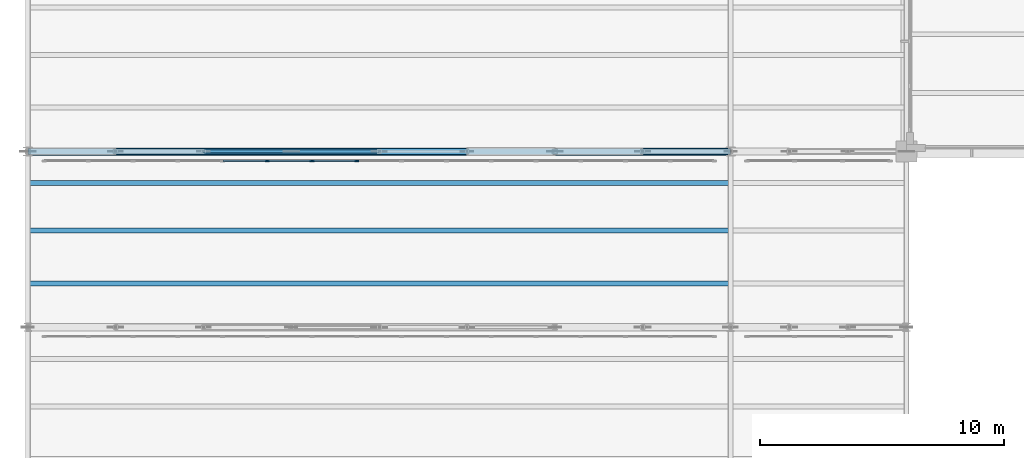
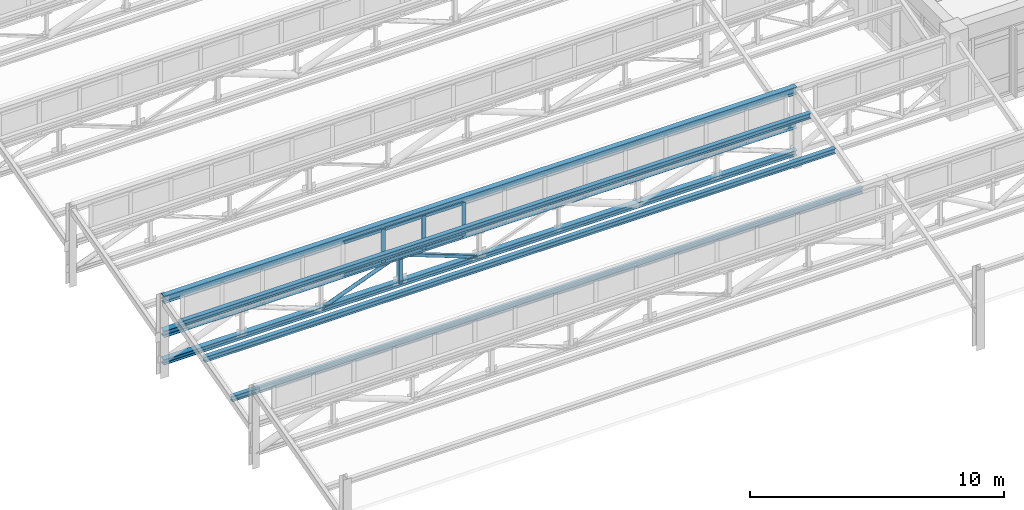
# One storey, part 10 of 98: 14 members, 4 beams, 1 element without a shape of its own.
"""IFC4 building model written with IfcOpenShell, lengths in metres."""

from ifc_helpers import new_model, si_unit, direction, frame, origin, origin_2d, place, context, subcontext, project, spatial, rectangle, hollow_rectangle, hollow_circle, i_section, extrude, material, layer, layer_set, material_profile, profile_set, type_object, element, aggregate, save


model = new_model("IFC4")

# Units and contexts
model_context = context("Model", 3, precision=1e-05, world=origin(), true_north=direction((0.0, 1.0)))
body_context = subcontext(model_context, "Body", "Model", "MODEL_VIEW")
ifc_project = project(units=[si_unit("LENGTHUNIT", "METRE"), si_unit("AREAUNIT", "SQUARE_METRE"), si_unit("VOLUMEUNIT", "CUBIC_METRE"), si_unit("PLANEANGLEUNIT", "RADIAN"), si_unit("MASSUNIT", "GRAM", prefix="KILO")], contexts=[model_context])

# Site, building, storey
site_placement = place(None, origin())
site = spatial("IfcSite", under=ifc_project, at=site_placement, CompositionType="ELEMENT")
building_placement = place(site_placement, origin())
building = spatial("IfcBuilding", under=site, at=building_placement, Name="Solenvale Faculty of Natural Sciences", CompositionType="ELEMENT")
storey_placement = place(building_placement, frame((0.0, 0.0, 9.0)))
storey = spatial("IfcBuildingStorey", under=building, at=storey_placement, Name="L02", CompositionType="ELEMENT", Elevation=9.0)

# Beams
ifc_material_1 = material(Name="Steel S355", Category="steel")
ifc_material_profile_1 = material_profile(ifc_material_1, i_section(OverallWidth=0.202880859375, OverallDepth=0.251953125, WebThickness=0.008056640625, FlangeThickness=0.013427734375, FilletRadius=0.012939453125, at=origin_2d()), Name="W250x58")
ifc_profile_set_1 = profile_set([ifc_material_profile_1], Name="Steel S355")
beam_type_1 = type_object("IfcBeamType", Name="BM-PRL-W250x58", PredefinedType="JOIST", material=ifc_profile_set_1)
for number, where, z_axis, x_axis, name in (
    (1, (0.0, 9.0, 2.17919921875), (1.0, 0.0, 0.0), (0.0, 1.0, 0.0), "V1 Sawtooth Purlin 2.1.1"),
    (2, (0.0, 11.159912109375, 2.75830078125), (1.0, 0.0, 0.0), (0.0, 1.0, 0.0), "V1 Sawtooth Purlin 2.1.2"),
    (3, (0.0, 13.10400390625, 3.279296875), (1.0, 0.0, 0.0), (0.0, 1.0, 0.0), "V1 Sawtooth Purlin 2.1.3"),
):
    element("IfcBeam", number, at=place(storey_placement, frame(where, z_axis=z_axis, x_axis=x_axis)), inside=storey, type_object=beam_type_1, Name=name, PredefinedType="JOIST", context=body_context, shape_type="SweptSolid", body=[
        extrude(i_section(OverallWidth=0.202880859375, OverallDepth=0.251953125, WebThickness=0.008056640625, FlangeThickness=0.013427734375, FilletRadius=0.012939453125, at=origin_2d()), origin(), (0.0, 0.0, 1.0), 28.7041015625),
    ])
ifc_material_profile_2 = material_profile(ifc_material_1, i_section(OverallWidth=0.2548828125, OverallDepth=0.35693359375, WebThickness=0.010498046875, FlangeThickness=0.018310546875, FilletRadius=0.014892578125, at=origin_2d()), Name="W360x101")
ifc_profile_set_2 = profile_set([ifc_material_profile_2], Name="Steel S355")
beam_type_2 = type_object("IfcBeamType", Name="BM-STL-W360x101", PredefinedType="JOIST", material=ifc_profile_set_2)
beam_placement = place(storey_placement, frame((0.0, 14.39990234375, 3.68896484375), z_axis=(1.0, 0.0, 0.0), x_axis=(0.0, 1.0, 0.0)))
element("IfcBeam", 4, at=beam_placement, inside=storey, type_object=beam_type_2, Name="V1 Sawtooth Clerestory Ridge Beam 2.1", PredefinedType="JOIST", context=body_context, shape_type="SweptSolid", body=[
    extrude(i_section(OverallWidth=0.2548828125, OverallDepth=0.35693359375, WebThickness=0.010498046875, FlangeThickness=0.018310546875, FilletRadius=0.014892578125, at=origin_2d()), origin(), (0.0, 0.0, 1.0), 28.800048828125),
])

# Curtain wall, members
ifc_material_2 = material(Name="Anodised bronze aluminium", Category="aluminium")
ifc_layer = layer(ifc_material_2, 0.1650390625)
ifc_layer_set = layer_set([ifc_layer], Name="Anodised bronze aluminium")
curtain_wall_type = type_object("IfcCurtainWallType", Name="CW-SAW-CLR", PredefinedType="USERDEFINED", material=ifc_layer_set)
curtain_wall_placement = place(storey_placement, origin())
curtain_wall = element("IfcCurtainWall", 5, at=curtain_wall_placement, inside=storey, type_object=curtain_wall_type, Name="L02 Curtain Wall SAW-V1-CW-2-1", ObjectType="NORTH LIGHT CLERESTORY", PredefinedType="USERDEFINED")
ifc_material_profile_3 = material_profile(ifc_material_2, rectangle(XDim=0.06494140625, YDim=0.175048828125, at=origin_2d()), Name="ALU-MUL-65x175")
ifc_profile_set_3 = profile_set([ifc_material_profile_3], Name="Anodised bronze aluminium")
member_type_1 = type_object("IfcMemberType", Name="CWM-ALU-65x175", PredefinedType="MULLION", material=ifc_profile_set_3)
member_1_placement = place(storey_placement, frame((13.482666015625, 14.02001953125, 2.22998046875), z_axis=(0.0, 0.0, 1.0), x_axis=(0.0, -1.0, 0.0)))
member_1 = element("IfcMember", 6, at=member_1_placement, type_object=member_type_1, Name="CW-05 mullion 9", PredefinedType="MULLION", context=body_context, shape_type="SweptSolid", body=[
    extrude(rectangle(XDim=0.06494140625, YDim=0.175048828125, at=origin_2d()), origin(), (0.0, 0.0, 1.0), 1.610107421875),
])
member_2_placement = place(storey_placement, frame((11.64794921875, 14.02001953125, 2.22998046875), z_axis=(0.0, 0.0, 1.0), x_axis=(0.0, -1.0, 0.0)))
member_2 = element("IfcMember", 7, at=member_2_placement, type_object=member_type_1, Name="CW-05 mullion 10", PredefinedType="MULLION", context=body_context, shape_type="SweptSolid", body=[
    extrude(rectangle(XDim=0.06494140625, YDim=0.175048828125, at=origin_2d()), origin(), (0.0, 0.0, 1.0), 1.610107421875),
])
member_3_placement = place(storey_placement, frame((9.813232421875, 14.02001953125, 2.22998046875), z_axis=(0.0, 0.0, 1.0), x_axis=(0.0, -1.0, 0.0)))
member_3 = element("IfcMember", 8, at=member_3_placement, type_object=member_type_1, Name="CW-05 mullion 11", PredefinedType="MULLION", context=body_context, shape_type="SweptSolid", body=[
    extrude(rectangle(XDim=0.06494140625, YDim=0.175048828125, at=origin_2d()), origin(), (0.0, 0.0, 1.0), 1.610107421875),
])
ifc_material_profile_4 = material_profile(ifc_material_2, rectangle(XDim=0.06494140625, YDim=0.135009765625, at=origin_2d()), Name="ALU-TRN-65x135")
ifc_profile_set_4 = profile_set([ifc_material_profile_4], Name="Anodised bronze aluminium")
member_type_2 = type_object("IfcMemberType", Name="CWT-ALU-65x135", PredefinedType="USERDEFINED", material=ifc_profile_set_4)
member_4_placement = place(storey_placement, frame((13.4501953125, 14.02001953125, 2.262451171875), z_axis=(-1.0, 0.0, 0.0), x_axis=(0.0, -1.0, 0.0)))
member_4 = element("IfcMember", 9, at=member_4_placement, type_object=member_type_2, Name="CW-05 transom 9.1", ObjectType="TRANSOM", PredefinedType="USERDEFINED", context=body_context, shape_type="SweptSolid", body=[
    extrude(rectangle(XDim=0.06494140625, YDim=0.135009765625, at=origin_2d()), origin(), (0.0, 0.0, 1.0), 1.769775390625),
])
member_5_placement = place(storey_placement, frame((13.4501953125, 14.02001953125, 3.8076171875), z_axis=(-1.0, 0.0, 0.0), x_axis=(0.0, -1.0, 0.0)))
member_5 = element("IfcMember", 10, at=member_5_placement, type_object=member_type_2, Name="CW-05 transom 9.2", ObjectType="TRANSOM", PredefinedType="USERDEFINED", context=body_context, shape_type="SweptSolid", body=[
    extrude(rectangle(XDim=0.06494140625, YDim=0.135009765625, at=origin_2d()), origin(), (0.0, 0.0, 1.0), 1.769775390625),
])
member_6_placement = place(storey_placement, frame((11.615478515625, 14.02001953125, 2.262451171875), z_axis=(-1.0, 0.0, 0.0), x_axis=(0.0, -1.0, 0.0)))
member_6 = element("IfcMember", 11, at=member_6_placement, type_object=member_type_2, Name="CW-05 transom 10.1", ObjectType="TRANSOM", PredefinedType="USERDEFINED", context=body_context, shape_type="SweptSolid", body=[
    extrude(rectangle(XDim=0.06494140625, YDim=0.135009765625, at=origin_2d()), origin(), (0.0, 0.0, 1.0), 1.76953125),
])
member_7_placement = place(storey_placement, frame((11.615478515625, 14.02001953125, 3.8076171875), z_axis=(-1.0, 0.0, 0.0), x_axis=(0.0, -1.0, 0.0)))
member_7 = element("IfcMember", 12, at=member_7_placement, type_object=member_type_2, Name="CW-05 transom 10.2", ObjectType="TRANSOM", PredefinedType="USERDEFINED", context=body_context, shape_type="SweptSolid", body=[
    extrude(rectangle(XDim=0.06494140625, YDim=0.135009765625, at=origin_2d()), origin(), (0.0, 0.0, 1.0), 1.76953125),
])
member_8_placement = place(storey_placement, frame((9.78076171875, 14.02001953125, 2.262451171875), z_axis=(-1.0, 0.0, 0.0), x_axis=(0.0, -1.0, 0.0)))
member_8 = element("IfcMember", 13, at=member_8_placement, type_object=member_type_2, Name="CW-05 transom 11.1", ObjectType="TRANSOM", PredefinedType="USERDEFINED", context=body_context, shape_type="SweptSolid", body=[
    extrude(rectangle(XDim=0.06494140625, YDim=0.135009765625, at=origin_2d()), origin(), (0.0, 0.0, 1.0), 1.76953125),
])
member_9_placement = place(storey_placement, frame((9.78076171875, 14.02001953125, 3.8076171875), z_axis=(-1.0, 0.0, 0.0), x_axis=(0.0, -1.0, 0.0)))
member_9 = element("IfcMember", 14, at=member_9_placement, type_object=member_type_2, Name="CW-05 transom 11.2", ObjectType="TRANSOM", PredefinedType="USERDEFINED", context=body_context, shape_type="SweptSolid", body=[
    extrude(rectangle(XDim=0.06494140625, YDim=0.135009765625, at=origin_2d()), origin(), (0.0, 0.0, 1.0), 1.76953125),
])
aggregate(curtain_wall, [member_1, member_2, member_3, member_4, member_5, member_6, member_7, member_8, member_9])

# Members
ifc_material_profile_5 = material_profile(ifc_material_1, hollow_circle(Radius=0.084228515625, WallThickness=0.008056640625, at=origin_2d()), Name="HSS168x8.0")
ifc_profile_set_5 = profile_set([ifc_material_profile_5], Name="Steel S355")
member_type_3 = type_object("IfcMemberType", Name="MB-BRC-CHS168", PredefinedType="BRACE", material=ifc_profile_set_5)
member_10_placement = place(storey_placement, frame((7.199951171875, 14.39990234375, 0.68994140625), z_axis=(0.935466034784, 0.0, 0.353416606522), x_axis=(0.0, 1.0, 0.0)))
element("IfcMember", 15, at=member_10_placement, inside=storey, type_object=member_type_3, Name="V1 Truss 2.1 Diagonal 3", PredefinedType="BRACE", context=body_context, shape_type="SweptSolid", body=[
    extrude(hollow_circle(Radius=0.084228515625, WallThickness=0.008056640625, at=origin_2d()), origin(), (0.0, 0.0, 1.0), 3.848388671875),
])
ifc_material_profile_6 = material_profile(ifc_material_1, hollow_rectangle(XDim=0.152099609375, YDim=0.152099609375, WallThickness=0.009521484375, InnerFilletRadius=0.009521484375, OuterFilletRadius=0.01904296875, at=origin_2d()), Name="HSS152x152x9.5")
ifc_profile_set_6 = profile_set([ifc_material_profile_6], Name="Steel S355")
member_type_4 = type_object("IfcMemberType", Name="MB-BRC-HSS152", PredefinedType="BRACE", material=ifc_profile_set_6)
member_11_placement = place(storey_placement, frame((10.800048828125, 14.39990234375, 2.050048828125), z_axis=(0.935458110384, 0.0, -0.353437581075), x_axis=(0.0, 1.0, 0.0)))
element("IfcMember", 16, at=member_11_placement, inside=storey, type_object=member_type_4, Name="V1 Truss 2.1 Diagonal 4", PredefinedType="BRACE", context=body_context, shape_type="SweptSolid", body=[
    extrude(hollow_rectangle(XDim=0.152099609375, YDim=0.152099609375, WallThickness=0.009521484375, InnerFilletRadius=0.009521484375, OuterFilletRadius=0.01904296875, at=origin_2d()), origin(), (0.0, 0.0, 1.0), 3.84814453125),
])
ifc_material_profile_7 = material_profile(ifc_material_1, i_section(OverallWidth=0.256103515625, OverallDepth=0.260009765625, WebThickness=0.0107421875, FlangeThickness=0.017333984375, FilletRadius=0.012939453125, at=origin_2d()), Name="W250x89")
ifc_profile_set_7 = profile_set([ifc_material_profile_7], Name="Steel S355")
member_type_5 = type_object("IfcMemberType", Name="MB-CHD-W250x89", PredefinedType="CHORD", material=ifc_profile_set_7)
member_12_placement = place(storey_placement, frame((0.0, 14.39990234375, 0.68994140625), z_axis=(1.0, 0.0, 0.0), x_axis=(0.0, 1.0, 0.0)))
element("IfcMember", 17, at=member_12_placement, inside=storey, type_object=member_type_5, Name="V1 Truss 2.1 Bottom Chord", PredefinedType="CHORD", context=body_context, shape_type="SweptSolid", body=[
    extrude(i_section(OverallWidth=0.256103515625, OverallDepth=0.260009765625, WebThickness=0.0107421875, FlangeThickness=0.017333984375, FilletRadius=0.012939453125, at=origin_2d()), origin(), (0.0, 0.0, 1.0), 28.800048828125),
])
ifc_material_profile_8 = material_profile(ifc_material_1, i_section(OverallWidth=0.304931640625, OverallDepth=0.30810546875, WebThickness=0.010009765625, FlangeThickness=0.015380859375, FilletRadius=0.014892578125, at=origin_2d()), Name="W310x97")
ifc_profile_set_8 = profile_set([ifc_material_profile_8], Name="Steel S355")
member_type_6 = type_object("IfcMemberType", Name="MB-CHD-W310x97", PredefinedType="CHORD", material=ifc_profile_set_8)
member_13_placement = place(storey_placement, frame((0.0, 14.39990234375, 2.050048828125), z_axis=(1.0, 0.0, 0.0), x_axis=(0.0, 1.0, 0.0)))
element("IfcMember", 18, at=member_13_placement, inside=storey, type_object=member_type_6, Name="V1 Truss 2.1 Top Chord", PredefinedType="CHORD", context=body_context, shape_type="SweptSolid", body=[
    extrude(i_section(OverallWidth=0.304931640625, OverallDepth=0.30810546875, WebThickness=0.010009765625, FlangeThickness=0.015380859375, FilletRadius=0.014892578125, at=origin_2d()), origin(), (0.0, 0.0, 1.0), 28.800048828125),
])
ifc_material_profile_9 = material_profile(ifc_material_1, hollow_rectangle(XDim=0.202880859375, YDim=0.202880859375, WallThickness=0.0126953125, InnerFilletRadius=0.0126953125, OuterFilletRadius=0.025390625, at=origin_2d()), Name="HSS203x203x13")
ifc_profile_set_9 = profile_set([ifc_material_profile_9], Name="Steel S355")
member_type_7 = type_object("IfcMemberType", Name="MB-STR-HSS203", PredefinedType="STRUT", material=ifc_profile_set_9)
member_14_placement = place(storey_placement, frame((10.800048828125, 14.39990234375, 0.68994140625), z_axis=(0.0, 0.0, 1.0), x_axis=(1.0, 0.0, 0.0)))
element("IfcMember", 19, at=member_14_placement, inside=storey, type_object=member_type_7, Name="V1 Truss 2.1 Strut 3", PredefinedType="STRUT", context=body_context, shape_type="SweptSolid", body=[
    extrude(hollow_rectangle(XDim=0.202880859375, YDim=0.202880859375, WallThickness=0.0126953125, InnerFilletRadius=0.0126953125, OuterFilletRadius=0.025390625, at=origin_2d()), origin(), (0.0, 0.0, 1.0), 1.360107421875),
])

save(model, "model.ifc")
